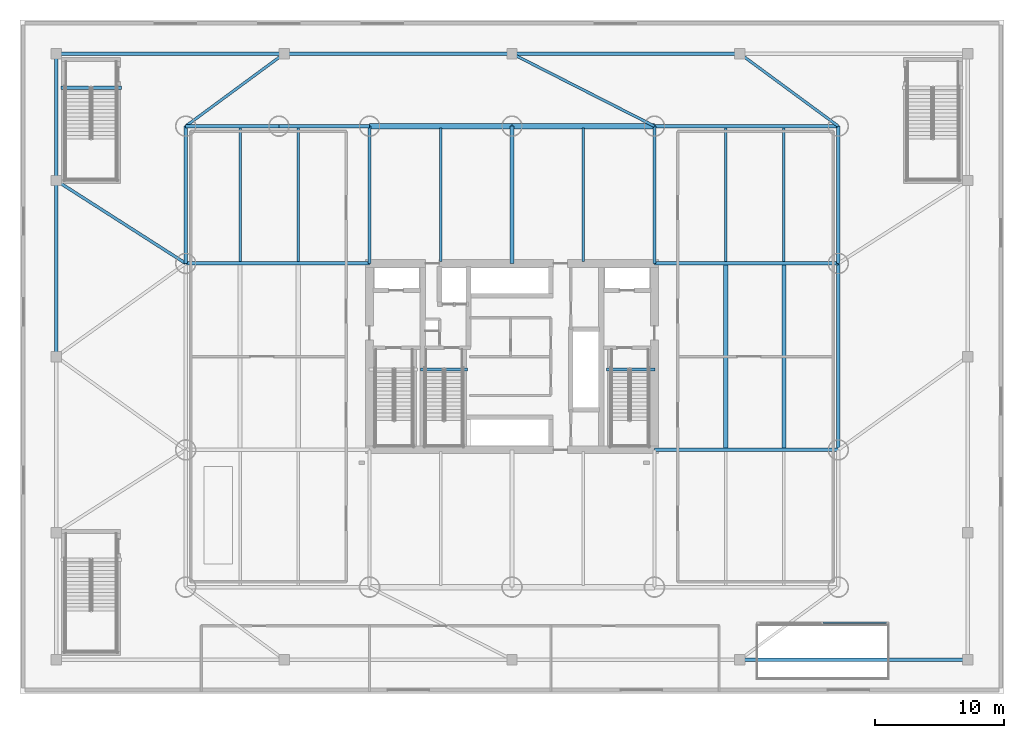
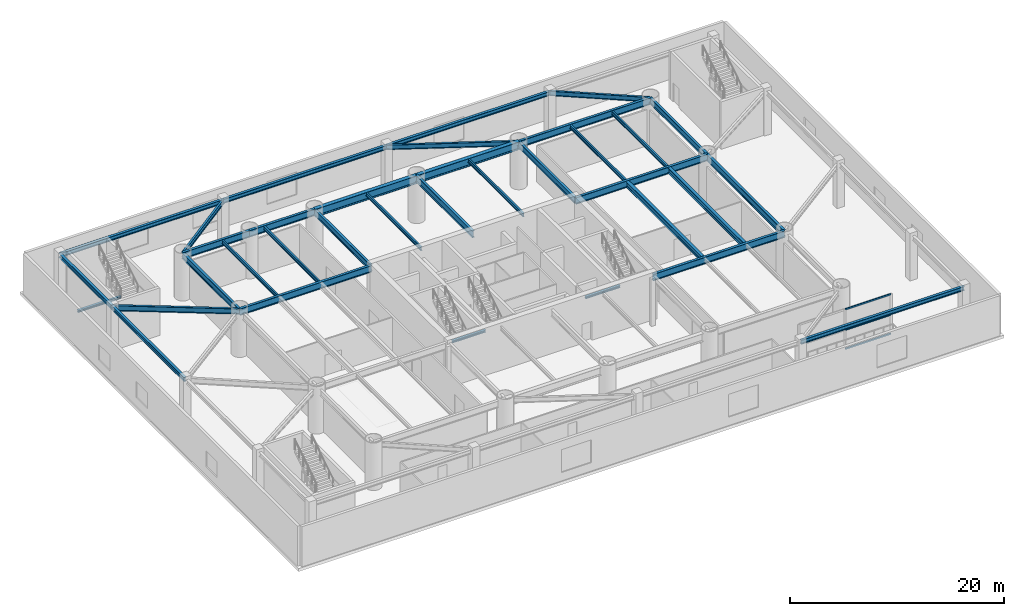
# One storey, part 3 of 16: 35 beams, 3 members, 1 element without a shape of its own.
"""IFC4 building model written with IfcOpenShell, lengths in metres."""

from ifc_helpers import new_model, si_unit, direction, frame, origin, origin_2d, place, context, subcontext, project, spatial, hollow_rectangle, i_section, extrude, material, layer, layer_set, material_profile, profile_set, type_object, element, aggregate, save


model = new_model("IFC4")

# Units and contexts
model_context = context("Model", 3, precision=1e-05, world=origin(), true_north=direction((0.0, 1.0)))
body_context = subcontext(model_context, "Body", "Model", "MODEL_VIEW")
ifc_project = project(units=[si_unit("LENGTHUNIT", "METRE"), si_unit("AREAUNIT", "SQUARE_METRE"), si_unit("VOLUMEUNIT", "CUBIC_METRE"), si_unit("PLANEANGLEUNIT", "RADIAN"), si_unit("MASSUNIT", "GRAM", prefix="KILO")], contexts=[model_context])

# Site, building, storey
site_placement = place(None, origin())
site = spatial("IfcSite", under=ifc_project, at=site_placement, CompositionType="ELEMENT")
building_placement = place(site_placement, origin())
building = spatial("IfcBuilding", under=site, at=building_placement, Name="Bramvorn Convention Spire", CompositionType="ELEMENT")
storey_placement = place(building_placement, frame((0.0, 0.0, 6.60009765625)))
storey = spatial("IfcBuildingStorey", under=building, at=storey_placement, Name="L01", CompositionType="ELEMENT", Elevation=6.60009765625)

# Beams
ifc_material_1 = material(Name="Steel CSA G40.21 Grade 350 (350W)", Category="steel")
ifc_material_profile_1 = material_profile(ifc_material_1, i_section(OverallWidth=0.25390625, OverallDepth=0.2529296875, WebThickness=0.008544921875, FlangeThickness=0.01416015625, FilletRadius=0.011962890625, at=origin_2d()))
ifc_profile_set_1 = profile_set([ifc_material_profile_1], Name="Steel CSA G40.21 Grade 350 (350W) - W250X73")
beam_type_1 = type_object("IfcBeamType", Name="BM-W250X73", PredefinedType="BEAM", material=ifc_profile_set_1)
beam_1_placement = place(storey_placement, frame((45.31005859375, 25.010009765625, -0.126708984375), z_axis=(1.0, 0.0, 0.0), x_axis=(0.0, 1.0, 0.0)))
element("IfcBeam", 1, at=beam_1_placement, inside=storey, type_object=beam_type_1, Name="L01 ST2 stair arrival header beam", PredefinedType="BEAM", context=body_context, shape_type="SweptSolid", body=[
    extrude(i_section(OverallWidth=0.25390625, OverallDepth=0.2529296875, WebThickness=0.008544921875, FlangeThickness=0.01416015625, FilletRadius=0.011962890625, at=origin_2d()), origin(), (0.0, 0.0, 1.0), 3.739990234375),
])
beam_2_placement = place(storey_placement, frame((30.949951171875, 25.010009765625, -0.126708984375), z_axis=(1.0, 0.0, 0.0), x_axis=(0.0, 1.0, 0.0)))
element("IfcBeam", 2, at=beam_2_placement, inside=storey, type_object=beam_type_1, Name="L01 ST3 stair arrival header beam", PredefinedType="BEAM", context=body_context, shape_type="SweptSolid", body=[
    extrude(i_section(OverallWidth=0.25390625, OverallDepth=0.2529296875, WebThickness=0.008544921875, FlangeThickness=0.01416015625, FilletRadius=0.011962890625, at=origin_2d()), origin(), (0.0, 0.0, 1.0), 3.610107421875),
])
beam_3_placement = place(storey_placement, frame((3.14990234375, 46.760009765625, -0.126708984375), z_axis=(1.0, 0.0, 0.0), x_axis=(0.0, 1.0, 0.0)))
element("IfcBeam", 3, at=beam_3_placement, inside=storey, type_object=beam_type_1, Name="L01 ST6 stair arrival header beam", PredefinedType="BEAM", context=body_context, shape_type="SweptSolid", body=[
    extrude(i_section(OverallWidth=0.25390625, OverallDepth=0.2529296875, WebThickness=0.008544921875, FlangeThickness=0.01416015625, FilletRadius=0.011962890625, at=origin_2d()), origin(), (0.0, 0.0, 1.0), 4.68017578125),
])
ifc_material_profile_2 = material_profile(ifc_material_1, i_section(OverallWidth=0.180908203125, OverallDepth=0.4169921875, WebThickness=0.010986328125, FlangeThickness=0.018310546875, FilletRadius=0.01611328125, at=origin_2d()))
ifc_profile_set_2 = profile_set([ifc_material_profile_2], Name="Steel CSA G40.21 Grade 350 (350W) - W410X85")
beam_type_2 = type_object("IfcBeamType", Name="BM-W410X85", PredefinedType="JOIST", material=ifc_profile_set_2)
for number, where, z_axis, x_axis, name in (
    (4, (17.0, 33.340087890625, 4.84130859375), (0.0, 1.0, 0.0), (-1.0, 0.0, 0.0), "L01 side hall joist N-1"),
    (5, (21.5, 33.340087890625, 4.84130859375), (0.0, 1.0, 0.0), (-1.0, 0.0, 0.0), "L01 side hall joist N-2"),
    (6, (32.5, 33.340087890625, 4.84130859375), (0.0, 1.0, 0.0), (-1.0, 0.0, 0.0), "L01 north hall composite joist 3"),
    (7, (43.5, 33.340087890625, 4.84130859375), (0.0, 1.0, 0.0), (-1.0, 0.0, 0.0), "L01 north hall composite joist 4"),
    (8, (54.5, 33.340087890625, 4.84130859375), (0.0, 1.0, 0.0), (-1.0, 0.0, 0.0), "L01 side hall joist N-5"),
    (9, (59.0, 33.340087890625, 4.84130859375), (0.0, 1.0, 0.0), (-1.0, 0.0, 0.0), "L01 side hall joist N-6"),
):
    element("IfcBeam", number, at=place(storey_placement, frame(where, z_axis=z_axis, x_axis=x_axis)), inside=storey, type_object=beam_type_2, Name=name, PredefinedType="JOIST", context=body_context, shape_type="SweptSolid", body=[
        extrude(i_section(OverallWidth=0.180908203125, OverallDepth=0.4169921875, WebThickness=0.010986328125, FlangeThickness=0.018310546875, FilletRadius=0.01611328125, at=origin_2d()), origin(), (0.0, 0.0, 1.0), 10.31982421875),
    ])
ifc_material_profile_3 = material_profile(ifc_material_1, i_section(OverallWidth=0.283935546875, OverallDepth=0.47607421875, WebThickness=0.014892578125, FlangeThickness=0.02392578125, FilletRadius=0.01806640625, at=origin_2d()))
ifc_profile_set_3 = profile_set([ifc_material_profile_3], Name="Steel CSA G40.21 Grade 350 (350W) - W460X158")
beam_type_3 = type_object("IfcBeamType", Name="BM-W460X158", PredefinedType="SPANDREL", material=ifc_profile_set_3)
beam_4_placement = place(storey_placement, frame((55.60009765625, 2.60009765625, 4.81201171875), z_axis=(1.0, 0.0, 0.0), x_axis=(0.0, 1.0, 0.0)))
element("IfcBeam", 10, at=beam_4_placement, inside=storey, type_object=beam_type_3, Name="L01 podium spandrel beam 04", PredefinedType="SPANDREL", context=body_context, shape_type="SweptSolid", body=[
    extrude(i_section(OverallWidth=0.283935546875, OverallDepth=0.47607421875, WebThickness=0.014892578125, FlangeThickness=0.02392578125, FilletRadius=0.01806640625, at=origin_2d()), origin(), (0.0, 0.0, 1.0), 17.599853515625),
])
for number, where, z_axis, x_axis, name in (
    (11, (55.60009765625, 49.39990234375, 4.81201171875), (-1.0, 0.0, 0.0), (0.0, -1.0, 0.0), "L01 podium spandrel beam 10"),
    (12, (38.0, 49.39990234375, 4.81201171875), (-1.0, 0.0, 0.0), (0.0, -1.0, 0.0), "L01 podium spandrel beam 11"),
):
    element("IfcBeam", number, at=place(storey_placement, frame(where, z_axis=z_axis, x_axis=x_axis)), inside=storey, type_object=beam_type_3, Name=name, PredefinedType="SPANDREL", context=body_context, shape_type="SweptSolid", body=[
        extrude(i_section(OverallWidth=0.283935546875, OverallDepth=0.47607421875, WebThickness=0.014892578125, FlangeThickness=0.02392578125, FilletRadius=0.01806640625, at=origin_2d()), origin(), (0.0, 0.0, 1.0), 17.60009765625),
    ])
beam_5_placement = place(storey_placement, frame((20.39990234375, 49.39990234375, 4.81201171875), z_axis=(-1.0, 0.0, 0.0), x_axis=(0.0, -1.0, 0.0)))
element("IfcBeam", 13, at=beam_5_placement, inside=storey, type_object=beam_type_3, Name="L01 podium spandrel beam 12", PredefinedType="SPANDREL", context=body_context, shape_type="SweptSolid", body=[
    extrude(i_section(OverallWidth=0.283935546875, OverallDepth=0.47607421875, WebThickness=0.014892578125, FlangeThickness=0.02392578125, FilletRadius=0.01806640625, at=origin_2d()), origin(), (0.0, 0.0, 1.0), 17.599853515625),
])
beam_6_placement = place(storey_placement, frame((2.800048828125, 49.39990234375, 4.81201171875), z_axis=(0.0, -1.0, 0.0), x_axis=(1.0, 0.0, 0.0)))
element("IfcBeam", 14, at=beam_6_placement, inside=storey, type_object=beam_type_3, Name="L01 podium spandrel beam 13", PredefinedType="SPANDREL", context=body_context, shape_type="SweptSolid", body=[
    extrude(i_section(OverallWidth=0.283935546875, OverallDepth=0.47607421875, WebThickness=0.014892578125, FlangeThickness=0.02392578125, FilletRadius=0.01806640625, at=origin_2d()), origin(), (0.0, 0.0, 1.0), 9.7998046875),
])
beam_7_placement = place(storey_placement, frame((2.800048828125, 39.60009765625, 4.81201171875), z_axis=(0.0, -1.0, 0.0), x_axis=(1.0, 0.0, 0.0)))
element("IfcBeam", 15, at=beam_7_placement, inside=storey, type_object=beam_type_3, Name="L01 podium spandrel beam 14", PredefinedType="SPANDREL", context=body_context, shape_type="SweptSolid", body=[
    extrude(i_section(OverallWidth=0.283935546875, OverallDepth=0.47607421875, WebThickness=0.014892578125, FlangeThickness=0.02392578125, FilletRadius=0.01806640625, at=origin_2d()), origin(), (0.0, 0.0, 1.0), 13.60009765625),
])
ifc_material_profile_4 = material_profile(ifc_material_1, i_section(OverallWidth=0.2119140625, OverallDepth=0.5439453125, WebThickness=0.01318359375, FlangeThickness=0.021240234375, FilletRadius=0.01904296875, at=origin_2d()))
ifc_profile_set_4 = profile_set([ifc_material_profile_4], Name="Steel CSA G40.21 Grade 350 (350W) - W530X123")
beam_type_4 = type_object("IfcBeamType", Name="BM-W530X123", PredefinedType="BEAM", material=ifc_profile_set_4)
beam_8_placement = place(storey_placement, frame((20.39990234375, 49.39990234375, 4.77783203125), z_axis=(-0.805057787445, -0.593196391488, 0.0), x_axis=(0.593196391488, -0.805057787445, 0.0)))
element("IfcBeam", 16, at=beam_8_placement, inside=storey, type_object=beam_type_4, Name="L01 podium primary girder 31", PredefinedType="BEAM", context=body_context, shape_type="SweptSolid", body=[
    extrude(i_section(OverallWidth=0.2119140625, OverallDepth=0.5439453125, WebThickness=0.01318359375, FlangeThickness=0.021240234375, FilletRadius=0.01904296875, at=origin_2d()), origin(), (0.0, 0.0, 1.0), 9.440185546875),
])
beam_9_placement = place(storey_placement, frame((38.0, 49.39990234375, 4.77783203125), z_axis=(0.891167913636, -0.453673615835, 0.0), x_axis=(0.453673615835, 0.891167913636, 0.0)))
element("IfcBeam", 17, at=beam_9_placement, inside=storey, type_object=beam_type_4, Name="L01 podium primary girder 32", PredefinedType="BEAM", context=body_context, shape_type="SweptSolid", body=[
    extrude(i_section(OverallWidth=0.2119140625, OverallDepth=0.5439453125, WebThickness=0.01318359375, FlangeThickness=0.021240234375, FilletRadius=0.01904296875, at=origin_2d()), origin(), (0.0, 0.0, 1.0), 12.34326171875),
])
beam_10_placement = place(storey_placement, frame((55.60009765625, 49.39990234375, 4.77783203125), z_axis=(0.805057787445, -0.593196391488, 0.0), x_axis=(0.593196391488, 0.805057787445, 0.0)))
element("IfcBeam", 18, at=beam_10_placement, inside=storey, type_object=beam_type_4, Name="L01 podium primary girder 33", PredefinedType="BEAM", context=body_context, shape_type="SweptSolid", body=[
    extrude(i_section(OverallWidth=0.2119140625, OverallDepth=0.5439453125, WebThickness=0.01318359375, FlangeThickness=0.021240234375, FilletRadius=0.01904296875, at=origin_2d()), origin(), (0.0, 0.0, 1.0), 9.440185546875),
])
ifc_material_profile_5 = material_profile(ifc_material_1, i_section(OverallWidth=0.22998046875, OverallDepth=0.616943359375, WebThickness=0.01318359375, FlangeThickness=0.022216796875, FilletRadius=0.02001953125, at=origin_2d()))
ifc_profile_set_5 = profile_set([ifc_material_profile_5], Name="Steel CSA G40.21 Grade 350 (350W) - W610X140")
beam_type_5 = type_object("IfcBeamType", Name="BM-W610X140", PredefinedType="BEAM", material=ifc_profile_set_5)
beam_11_placement = place(storey_placement, frame((2.800048828125, 39.60009765625, 4.741455078125), z_axis=(0.842265798855, -0.539062449145, 0.0), x_axis=(0.539062449145, 0.842265798855, 0.0)))
element("IfcBeam", 19, at=beam_11_placement, inside=storey, type_object=beam_type_5, Name="L01 west podium tie girder 2", PredefinedType="BEAM", context=body_context, shape_type="SweptSolid", body=[
    extrude(i_section(OverallWidth=0.22998046875, OverallDepth=0.616943359375, WebThickness=0.01318359375, FlangeThickness=0.022216796875, FilletRadius=0.02001953125, at=origin_2d()), origin(), (0.0, 0.0, 1.0), 11.872802734375),
])
ifc_material_profile_6 = material_profile(ifc_material_1, i_section(OverallWidth=0.327880859375, OverallDepth=0.6279296875, WebThickness=0.0166015625, FlangeThickness=0.027587890625, FilletRadius=0.02001953125, at=origin_2d()))
ifc_profile_set_6 = profile_set([ifc_material_profile_6], Name="Steel CSA G40.21 Grade 350 (350W) - W610X217")
beam_type_6 = type_object("IfcBeamType", Name="BM-W610X217", PredefinedType="BEAM", material=ifc_profile_set_6)
for number, where, z_axis, x_axis, name in (
    (20, (54.5, 18.93994140625, 4.73583984375), (0.0, 1.0, 0.0), (-1.0, 0.0, 0.0), "L01 main exhibition clear-span joist M-5"),
    (21, (59.0, 18.93994140625, 4.73583984375), (0.0, 1.0, 0.0), (-1.0, 0.0, 0.0), "L01 main exhibition clear-span joist M-6"),
):
    element("IfcBeam", number, at=place(storey_placement, frame(where, z_axis=z_axis, x_axis=x_axis)), inside=storey, type_object=beam_type_6, Name=name, PredefinedType="BEAM", context=body_context, shape_type="SweptSolid", body=[
        extrude(i_section(OverallWidth=0.327880859375, OverallDepth=0.6279296875, WebThickness=0.0166015625, FlangeThickness=0.027587890625, FilletRadius=0.02001953125, at=origin_2d()), origin(), (0.0, 0.0, 1.0), 14.1201171875),
    ])
ifc_material_profile_7 = material_profile(ifc_material_1, i_section(OverallWidth=0.256103515625, OverallDepth=0.693115234375, WebThickness=0.014404296875, FlangeThickness=0.023681640625, FilletRadius=0.02197265625, at=origin_2d()))
ifc_profile_set_7 = profile_set([ifc_material_profile_7], Name="Steel CSA G40.21 Grade 350 (350W) - W690X170")
beam_type_7 = type_object("IfcBeamType", Name="BM-W690X170", PredefinedType="BEAM", material=ifc_profile_set_7)
for number, where, z_axis, x_axis, name in (
    (22, (12.800048828125, 33.199951171875, 4.703369140625), (0.0, 1.0, 0.0), (-1.0, 0.0, 0.0), "L01 podium primary girder 14"),
    (23, (63.199951171875, 33.199951171875, 4.703369140625), (0.0, 1.0, 0.0), (-1.0, 0.0, 0.0), "L01 podium primary girder 17"),
    (24, (27.0, 33.199951171875, 4.703369140625), (0.0, 1.0, 0.0), (-1.0, 0.0, 0.0), "L01 podium primary girder 24"),
    (25, (49.0, 33.199951171875, 4.703369140625), (0.0, 1.0, 0.0), (-1.0, 0.0, 0.0), "L01 podium primary girder 25"),
):
    element("IfcBeam", number, at=place(storey_placement, frame(where, z_axis=z_axis, x_axis=x_axis)), inside=storey, type_object=beam_type_7, Name=name, PredefinedType="BEAM", context=body_context, shape_type="SweptSolid", body=[
        extrude(i_section(OverallWidth=0.256103515625, OverallDepth=0.693115234375, WebThickness=0.014404296875, FlangeThickness=0.023681640625, FilletRadius=0.02197265625, at=origin_2d()), origin(), (0.0, 0.0, 1.0), 10.60009765625),
    ])
ifc_material_profile_8 = material_profile(ifc_material_1, i_section(OverallWidth=0.27099609375, OverallDepth=0.76806640625, WebThickness=0.0166015625, FlangeThickness=0.02685546875, FilletRadius=0.02197265625, at=origin_2d()))
ifc_profile_set_8 = profile_set([ifc_material_profile_8], Name="Steel CSA G40.21 Grade 350 (350W) - W760X220")
beam_type_8 = type_object("IfcBeamType", Name="BM-W760X220", PredefinedType="BEAM", material=ifc_profile_set_8)
beam_12_placement = place(storey_placement, frame((12.800048828125, 43.800048828125, 4.666015625), z_axis=(1.0, 0.0, 0.0), x_axis=(0.0, 1.0, 0.0)))
element("IfcBeam", 26, at=beam_12_placement, inside=storey, type_object=beam_type_8, Name="L01 podium primary girder 05", PredefinedType="BEAM", context=body_context, shape_type="SweptSolid", body=[
    extrude(i_section(OverallWidth=0.27099609375, OverallDepth=0.76806640625, WebThickness=0.0166015625, FlangeThickness=0.02685546875, FilletRadius=0.02197265625, at=origin_2d()), origin(), (0.0, 0.0, 1.0), 7.199951171875),
])
beam_13_placement = place(storey_placement, frame((20.0, 43.800048828125, 4.666015625), z_axis=(1.0, 0.0, 0.0), x_axis=(0.0, 1.0, 0.0)))
element("IfcBeam", 27, at=beam_13_placement, inside=storey, type_object=beam_type_8, Name="L01 podium primary girder 06", PredefinedType="BEAM", context=body_context, shape_type="SweptSolid", body=[
    extrude(i_section(OverallWidth=0.27099609375, OverallDepth=0.76806640625, WebThickness=0.0166015625, FlangeThickness=0.02685546875, FilletRadius=0.02197265625, at=origin_2d()), origin(), (0.0, 0.0, 1.0), 7.0),
])
beam_14_placement = place(storey_placement, frame((38.0, 33.199951171875, 4.666015625), z_axis=(0.0, 1.0, 0.0), x_axis=(-1.0, 0.0, 0.0)))
element("IfcBeam", 28, at=beam_14_placement, inside=storey, type_object=beam_type_8, Name="L01 podium primary girder 10", PredefinedType="BEAM", context=body_context, shape_type="SweptSolid", body=[
    extrude(i_section(OverallWidth=0.27099609375, OverallDepth=0.76806640625, WebThickness=0.0166015625, FlangeThickness=0.02685546875, FilletRadius=0.02197265625, at=origin_2d()), origin(), (0.0, 0.0, 1.0), 10.60009765625),
])
beam_15_placement = place(storey_placement, frame((49.0, 43.800048828125, 4.666015625), z_axis=(1.0, 0.0, 0.0), x_axis=(0.0, 1.0, 0.0)))
element("IfcBeam", 29, at=beam_15_placement, inside=storey, type_object=beam_type_8, Name="L01 podium primary girder 11", PredefinedType="BEAM", context=body_context, shape_type="SweptSolid", body=[
    extrude(i_section(OverallWidth=0.27099609375, OverallDepth=0.76806640625, WebThickness=0.0166015625, FlangeThickness=0.02685546875, FilletRadius=0.02197265625, at=origin_2d()), origin(), (0.0, 0.0, 1.0), 14.199951171875),
])
beam_16_placement = place(storey_placement, frame((63.199951171875, 18.800048828125, 4.666015625), z_axis=(0.0, 1.0, 0.0), x_axis=(-1.0, 0.0, 0.0)))
element("IfcBeam", 30, at=beam_16_placement, inside=storey, type_object=beam_type_8, Name="L01 podium primary girder 16", PredefinedType="BEAM", context=body_context, shape_type="SweptSolid", body=[
    extrude(i_section(OverallWidth=0.27099609375, OverallDepth=0.76806640625, WebThickness=0.0166015625, FlangeThickness=0.02685546875, FilletRadius=0.02197265625, at=origin_2d()), origin(), (0.0, 0.0, 1.0), 14.39990234375),
])
for number, where, z_axis, x_axis, name in (
    (31, (49.0, 18.800048828125, 4.666015625), (1.0, 0.0, 0.0), (0.0, 1.0, 0.0), "L01 podium primary girder 19"),
    (32, (12.800048828125, 33.199951171875, 4.666015625), (1.0, 0.0, 0.0), (0.0, 1.0, 0.0), "L01 podium primary girder 20"),
    (33, (49.0, 33.199951171875, 4.666015625), (1.0, 0.0, 0.0), (0.0, 1.0, 0.0), "L01 podium primary girder 21"),
):
    element("IfcBeam", number, at=place(storey_placement, frame(where, z_axis=z_axis, x_axis=x_axis)), inside=storey, type_object=beam_type_8, Name=name, PredefinedType="BEAM", context=body_context, shape_type="SweptSolid", body=[
        extrude(i_section(OverallWidth=0.27099609375, OverallDepth=0.76806640625, WebThickness=0.0166015625, FlangeThickness=0.02685546875, FilletRadius=0.02197265625, at=origin_2d()), origin(), (0.0, 0.0, 1.0), 14.199951171875),
    ])
ifc_material_profile_9 = material_profile(ifc_material_1, i_section(OverallWidth=0.41796875, OverallDepth=0.912109375, WebThickness=0.019287109375, FlangeThickness=0.031982421875, FilletRadius=0.02392578125, at=origin_2d()))
ifc_profile_set_9 = profile_set([ifc_material_profile_9], Name="Steel CSA G40.21 Grade 350 (350W) - W920X342")
beam_type_9 = type_object("IfcBeamType", Name="BM-W920X342", PredefinedType="BEAM", material=ifc_profile_set_9)
for number, where, z_axis, x_axis, name in (
    (34, (27.0, 43.800048828125, 4.593994140625), (1.0, 0.0, 0.0), (0.0, 1.0, 0.0), "L01 podium primary girder 07"),
    (35, (38.0, 43.800048828125, 4.593994140625), (1.0, 0.0, 0.0), (0.0, 1.0, 0.0), "L01 podium primary girder 08"),
):
    element("IfcBeam", number, at=place(storey_placement, frame(where, z_axis=z_axis, x_axis=x_axis)), inside=storey, type_object=beam_type_9, Name=name, PredefinedType="BEAM", context=body_context, shape_type="SweptSolid", body=[
        extrude(i_section(OverallWidth=0.41796875, OverallDepth=0.912109375, WebThickness=0.019287109375, FlangeThickness=0.031982421875, FilletRadius=0.02392578125, at=origin_2d()), origin(), (0.0, 0.0, 1.0), 11.0),
    ])

# Curtain wall, members
ifc_material_2 = material(Name="Anodised Bronze Unitised Curtain Wall", Category="aluminium")
ifc_layer = layer(ifc_material_2, 0.219970703125)
ifc_layer_set = layer_set([ifc_layer], Name="Anodised Bronze Unitised Curtain Wall - CW-POD-LANCET")
curtain_wall_type = type_object("IfcCurtainWallType", Name="CW-POD-LANCET", PredefinedType="USERDEFINED", material=ifc_layer_set)
curtain_wall_placement = place(storey_placement, origin())
curtain_wall = element("IfcCurtainWall", 36, at=curtain_wall_placement, inside=storey, type_object=curtain_wall_type, Name="L01 SE colonnade lancet curtain wall", ObjectType="UNITISED CURTAIN WALL", PredefinedType="USERDEFINED")
ifc_material_3 = material(Name="Anodised Bronze Aluminium 6063-T6", Category="aluminium")
ifc_material_profile_10 = material_profile(ifc_material_3, hollow_rectangle(XDim=0.090087890625, YDim=0.179931640625, WallThickness=0.00439453125, InnerFilletRadius=0.0009765625, OuterFilletRadius=0.00439453125, at=origin_2d()))
ifc_profile_set_10 = profile_set([ifc_material_profile_10], Name="Anodised Bronze Aluminium 6063-T6 - CWT90X180")
member_type = type_object("IfcMemberType", Name="CW-TRN-180", PredefinedType="USERDEFINED", material=ifc_profile_set_10)
member_1_placement = place(storey_placement, frame((62.030029296875, 5.449951171875, 0.02978515625), z_axis=(1.0, 0.0, 0.0), x_axis=(0.0, 1.0, 0.0)))
member_1 = element("IfcMember", 37, at=member_1_placement, type_object=member_type, Name="CW1 transom 2.1", ObjectType="TRANSOM", PredefinedType="USERDEFINED", context=body_context, shape_type="SweptSolid", body=[
    extrude(hollow_rectangle(XDim=0.090087890625, YDim=0.179931640625, WallThickness=0.00439453125, InnerFilletRadius=0.0009765625, OuterFilletRadius=0.00439453125, at=origin_2d()), origin(), (0.0, 0.0, 1.0), 4.909912109375),
])
member_2_placement = place(storey_placement, frame((62.030029296875, 5.449951171875, 2.199951171875), z_axis=(1.0, 0.0, 0.0), x_axis=(0.0, 1.0, 0.0)))
member_2 = element("IfcMember", 38, at=member_2_placement, type_object=member_type, Name="CW1 transom 2.2", ObjectType="TRANSOM", PredefinedType="USERDEFINED", context=body_context, shape_type="SweptSolid", body=[
    extrude(hollow_rectangle(XDim=0.090087890625, YDim=0.179931640625, WallThickness=0.00439453125, InnerFilletRadius=0.0009765625, OuterFilletRadius=0.00439453125, at=origin_2d()), origin(), (0.0, 0.0, 1.0), 4.909912109375),
])
member_3_placement = place(storey_placement, frame((62.030029296875, 5.449951171875, 4.52978515625), z_axis=(1.0, 0.0, 0.0), x_axis=(0.0, 1.0, 0.0)))
member_3 = element("IfcMember", 39, at=member_3_placement, type_object=member_type, Name="CW1 transom 2.3", ObjectType="TRANSOM", PredefinedType="USERDEFINED", context=body_context, shape_type="SweptSolid", body=[
    extrude(hollow_rectangle(XDim=0.090087890625, YDim=0.179931640625, WallThickness=0.00439453125, InnerFilletRadius=0.0009765625, OuterFilletRadius=0.00439453125, at=origin_2d()), origin(), (0.0, 0.0, 1.0), 4.909912109375),
])
aggregate(curtain_wall, [member_1, member_2, member_3])

save(model, "model.ifc")
